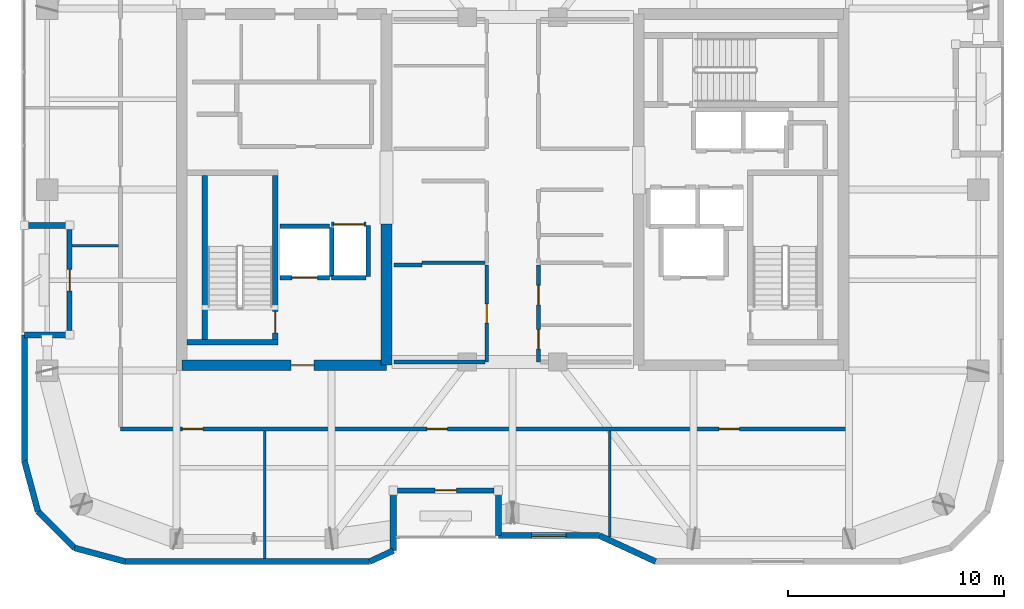
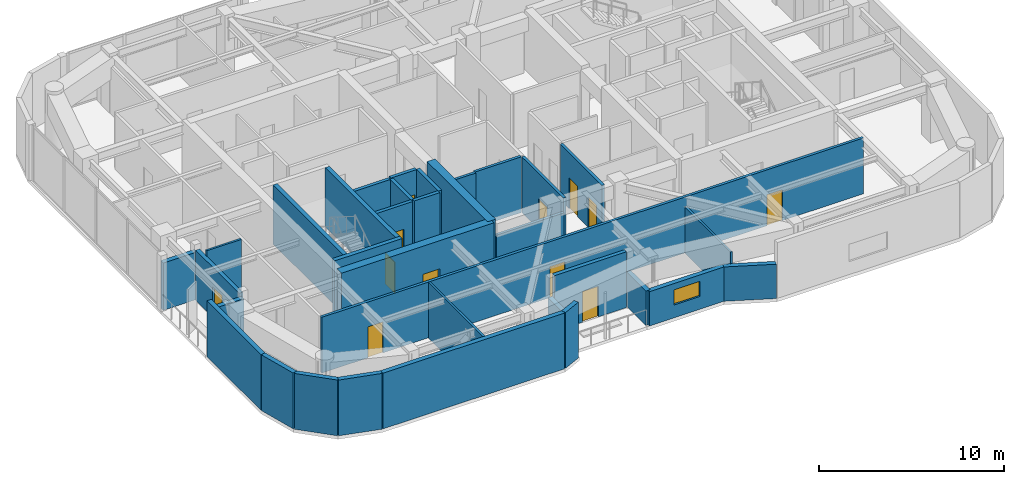
# One storey, part 10 of 15: 34 walls, 12 doors, 1 window, 13 openings.
"""IFC4 building model written with IfcOpenShell, lengths in metres."""

import ifcopenshell
import ifcopenshell.guid

model = None  # the IFC model being written
_history = None  # IfcOwnerHistory: only IFC2X3 demands one
_inside = {}  # id of a spatial element -> (the spatial element, [elements in it])
_under = {}  # id of a project, library or spatial element -> (it, [spatial elements below it])
_declared = {}  # id of a project -> (the project, [libraries it declares])
_typed = {}  # id of a type object -> (the type object, [elements of that type])
_made_of = {}  # id of a material, layer set ... -> (it, [elements and type objects made of it])


def new_model(schema):
    """Start an empty IFC model of exactly this schema.

    Asked for "IFC4X3", IfcOpenShell would pick the latest addendum, in which some entities
    have other attributes; the version numbers below select the first issue.
    IFC2X3 requires an IfcOwnerHistory on every rooted entity: one is made here for all.
    """
    global model, _history
    if schema == "IFC4X3":
        model = ifcopenshell.file(schema_version=(4, 3, 0, 0))
    else:
        model = ifcopenshell.file(schema=schema)
    _inside.clear()
    _under.clear()
    _declared.clear()
    _typed.clear()
    _made_of.clear()
    _history = None
    if model.schema == "IFC2X3":
        org = make("IfcOrganization", Name="unknown")
        user = make(
            "IfcPersonAndOrganization",
            ThePerson=make("IfcPerson", FamilyName="unknown"),
            TheOrganization=org,
        )
        app = make(
            "IfcApplication",
            ApplicationDeveloper=org,
            Version="unknown",
            ApplicationFullName="unknown",
            ApplicationIdentifier="unknown",
        )
        _history = make(
            "IfcOwnerHistory",
            OwningUser=user,
            OwningApplication=app,
            ChangeAction="ADDED",
            CreationDate=0,
        )
    return model


def make(cls, **values):
    """One entity of the class cls with the attributes given. An attribute that is None is left unset."""
    return model.create_entity(
        cls, **{name: value for name, value in values.items() if value is not None}
    )


def rooted(cls, **values):
    """An entity with a GlobalId (a new one), such as an element, a storey or a relation."""
    return make(cls, GlobalId=ifcopenshell.guid.new(), OwnerHistory=_history, **values)


def si_unit(unit_type, name, prefix=None):
    """IfcSIUnit, for example si_unit("LENGTHUNIT", "METRE", prefix="MILLI")."""
    return make("IfcSIUnit", UnitType=unit_type, Prefix=prefix, Name=name)


def assignment(units):
    """IfcUnitAssignment: the units of a project."""
    return None if units is None else make("IfcUnitAssignment", Units=units)


def point(xyz):
    """IfcCartesianPoint."""
    return None if xyz is None else make("IfcCartesianPoint", Coordinates=xyz)


def direction(xyz):
    """IfcDirection."""
    return None if xyz is None else make("IfcDirection", DirectionRatios=xyz)


def frame(location, z_axis=None, x_axis=None):
    """IfcAxis2Placement3D, a coordinate frame: its origin and axes. An axis left out is left unset."""
    return make(
        "IfcAxis2Placement3D",
        Location=point(location),
        Axis=direction(z_axis),
        RefDirection=direction(x_axis),
    )


def frame_2d(location, x_axis=None):
    """IfcAxis2Placement2D, a coordinate frame in the plane: its origin and x axis."""
    return make(
        "IfcAxis2Placement2D", Location=point(location), RefDirection=direction(x_axis)
    )


def origin():
    """The frame at (0, 0, 0) with its axes left unset."""
    return frame((0.0, 0.0, 0.0))


def place(relative_to, where):
    """IfcLocalPlacement: puts the frame where relative to a parent placement (None: the world)."""
    return make(
        "IfcLocalPlacement", PlacementRelTo=relative_to, RelativePlacement=where
    )


def context(
    kind, dimensions, precision=None, world=None, true_north=None, identifier=None
):
    """IfcGeometricRepresentationContext, for example the 3D "Model" context."""
    return make(
        "IfcGeometricRepresentationContext",
        ContextIdentifier=identifier,
        ContextType=kind,
        CoordinateSpaceDimension=dimensions,
        Precision=precision,
        WorldCoordinateSystem=world,
        TrueNorth=true_north,
    )


def subcontext(parent, identifier, kind, view, scale=None):
    """IfcGeometricRepresentationSubContext, for example "Body" below "Model"."""
    return make(
        "IfcGeometricRepresentationSubContext",
        ContextIdentifier=identifier,
        ContextType=kind,
        ParentContext=parent,
        TargetScale=scale,
        TargetView=view,
    )


def project(units=None, contexts=None):
    """IfcProject with its units and contexts."""
    return rooted(
        "IfcProject",
        Name="project",
        RepresentationContexts=contexts,
        UnitsInContext=assignment(units),
    )


def spatial(cls, under=None, at=None, **own):
    """A site, building, storey or space (cls), placed at a placement, below another one or the project."""
    s = rooted(cls, ObjectPlacement=at, **own)
    if under is not None:
        _under.setdefault(under.id(), (under, []))[1].append(s)
    return s


def profile(cls, at=None, kind="AREA", **sizes):
    """A parametric profile (cls). Its sizes go by their IFC names, for example OverallWidth=200.0."""
    return make(cls, ProfileType=kind, Position=at, **sizes)


def rectangle(**sizes):
    """IfcRectangleProfileDef."""
    return profile("IfcRectangleProfileDef", **sizes)


def extrude(swept, where, along, depth):
    """IfcExtrudedAreaSolid: the profile swept, set in the frame where, extruded along a direction by depth."""
    return make(
        "IfcExtrudedAreaSolid",
        SweptArea=swept,
        Position=where,
        ExtrudedDirection=direction(along),
        Depth=depth,
    )


def shape(context_of_items, identifier, shape_type, items):
    """IfcShapeRepresentation: the items that make up one representation, for example the "Body"."""
    return make(
        "IfcShapeRepresentation",
        ContextOfItems=context_of_items,
        RepresentationIdentifier=identifier,
        RepresentationType=shape_type,
        Items=items,
    )


def material(Name=None, Category=None):
    """IfcMaterial."""
    return make("IfcMaterial", Name=Name, Category=Category)


def layer(
    of_material, thickness, ventilated=None, Name=None, Category=None, Priority=None
):
    """IfcMaterialLayer: one layer of a wall or slab, of a material (None: an air gap)."""
    return make(
        "IfcMaterialLayer",
        Material=of_material,
        LayerThickness=thickness,
        IsVentilated=ventilated,
        Name=Name,
        Category=Category,
        Priority=Priority,
    )


def layer_set(layers, Name=None):
    """IfcMaterialLayerSet."""
    return make("IfcMaterialLayerSet", MaterialLayers=layers, LayerSetName=Name)


def made_of(thing, what):
    """Note that an element or type object is made of a material, layer set ...; save() writes the relation."""
    if what is not None:
        _made_of.setdefault(what.id(), (what, []))[1].append(thing)
    return thing


def type_object(cls, material=None, **own):
    """A type object (cls), such as IfcWallType, which elements share."""
    return made_of(rooted(cls, **own), material)


def element(
    cls,
    number,
    at=None,
    inside=None,
    cuts=None,
    type_object=None,
    material=None,
    context=None,
    identifier="Body",
    shape_type=None,
    held_by="IfcProductDefinitionShape",
    body=None,
    shapes=None,
    **own,
):
    """One element of the class cls, such as IfcWall. Its Tag is "e" and its number.

    at: its placement. inside: the storey or other place that contains it. cuts: it is an
    opening in that element (IfcRelVoidsElement). A single representation is given by context,
    identifier, shape_type and body (its items); several are given by shapes. held_by: the class
    of the entity that holds the representations. save() writes the other relations.
    """
    e = rooted(cls, Tag="e%d" % number, ObjectPlacement=at, **own)
    if body is not None:
        shapes = [shape(context, identifier, shape_type, body)]
    if shapes is not None:
        e.Representation = make(held_by, Representations=shapes)
    if inside is not None:
        _inside.setdefault(inside.id(), (inside, []))[1].append(e)
    if cuts is not None:
        rooted(
            "IfcRelVoidsElement", RelatingBuildingElement=cuts, RelatedOpeningElement=e
        )
    if type_object is not None:
        _typed.setdefault(type_object.id(), (type_object, []))[1].append(e)
    return made_of(e, material)


def fill(opening, filler):
    """IfcRelFillsElement: the door or window that sits in an opening."""
    return rooted(
        "IfcRelFillsElement",
        RelatingOpeningElement=opening,
        RelatedBuildingElement=filler,
    )


def aggregate(whole, parts):
    """IfcRelAggregates: a whole, such as a stair, and the parts it consists of."""
    return rooted("IfcRelAggregates", RelatingObject=whole, RelatedObjects=parts)


def save(model, path):
    """Write the relations noted so far, then the file.

    IfcRelAggregates (storeys below a building ...), IfcRelContainedInSpatialStructure (elements
    in a storey), IfcRelDefinesByType, IfcRelAssociatesMaterial and IfcRelDeclares: one each for
    every whole, place, type object, material and project.
    """
    for whole, parts in _under.values():
        aggregate(whole, parts)
    for where, things in _inside.values():
        rooted(
            "IfcRelContainedInSpatialStructure",
            RelatedElements=things,
            RelatingStructure=where,
        )
    for kind, things in _typed.values():
        rooted("IfcRelDefinesByType", RelatedObjects=things, RelatingType=kind)
    for what, things in _made_of.values():
        rooted("IfcRelAssociatesMaterial", RelatedObjects=things, RelatingMaterial=what)
    for by, libraries in _declared.values():
        rooted("IfcRelDeclares", RelatingContext=by, RelatedDefinitions=libraries)
    model.write(path)


model = new_model("IFC4")

# Units and contexts
model_context = context("Model", 3, precision=1e-05, world=origin(), true_north=direction((0.0, 1.0)))
body_context = subcontext(model_context, "Body", "Model", "MODEL_VIEW")
ifc_project = project(units=[si_unit("LENGTHUNIT", "METRE"), si_unit("AREAUNIT", "SQUARE_METRE"), si_unit("VOLUMEUNIT", "CUBIC_METRE"), si_unit("PLANEANGLEUNIT", "RADIAN"), si_unit("MASSUNIT", "GRAM", prefix="KILO")], contexts=[model_context])

# Site, building, storey
site_placement = place(None, origin())
site = spatial("IfcSite", under=ifc_project, at=site_placement, CompositionType="ELEMENT")
building_placement = place(site_placement, origin())
building = spatial("IfcBuilding", under=site, at=building_placement, Name="Kiyonajd Concourse Tower", CompositionType="ELEMENT")
storey_placement = place(building_placement, frame((0.0, 0.0, 262.800048828125)))
storey = spatial("IfcBuildingStorey", under=building, at=storey_placement, Name="L66", CompositionType="ELEMENT", Elevation=262.800048828125)

# Wall
ifc_material_1 = material(Name="Concrete C60/75", Category="concrete")
ifc_layer_1 = layer(ifc_material_1, 0.5)
ifc_layer_set_1 = layer_set([ifc_layer_1], Name="Concrete C60/75")
wall_type_1 = type_object("IfcWallType", Name="WL-CORE-500", PredefinedType="SHEAR", material=ifc_layer_set_1)
wall_1_placement = place(storey_placement, frame((42.14990234375, 27.85009765625, 0.0), z_axis=(0.0, 0.0, 1.0), x_axis=(0.0, 1.0, 0.0)))
element("IfcWall", 1, at=wall_1_placement, inside=storey, type_object=wall_type_1, Name="L66 West Core Inner South Shear Wall", PredefinedType="SHEAR", context=body_context, shape_type="SweptSolid", body=[
    extrude(rectangle(XDim=6.5498046875, YDim=0.5, at=frame_2d((3.27490234375, 0.0))), origin(), (0.0, 0.0, 1.0), 3.89990234375),
])

# Wall, opening, door
wall_2_placement = place(storey_placement, frame((32.64990234375, 27.85009765625, 0.0), z_axis=(0.0, 0.0, 1.0), x_axis=(1.0, 0.0, 0.0)))
wall_2 = element("IfcWall", 2, at=wall_2_placement, inside=storey, type_object=wall_type_1, Name="L66 West Core South Shear Wall", PredefinedType="SHEAR", context=body_context, shape_type="SweptSolid", body=[
    extrude(rectangle(XDim=9.5, YDim=0.5, at=frame_2d((4.75, 0.0))), origin(), (0.0, 0.0, 1.0), 3.89990234375),
])
opening_1_placement = place(wall_2_placement, frame((5.074951171875, 0.0, 0.0)))
opening_1 = element("IfcOpeningElement", 3, at=opening_1_placement, cuts=wall_2, Name="Opening DF5", PredefinedType="OPENING", context=body_context, shape_type="SweptSolid", body=[
    extrude(rectangle(XDim=1.050048828125, YDim=2.0400390625, at=frame_2d((0.52490234375, 1.02001953125))), frame((0.0, 0.260009765625, 0.0), z_axis=(0.0, -1.0, 0.0), x_axis=(1.0, 0.0, 0.0)), (0.0, 0.0, 1.0), 0.52001953125),
])
ifc_material_2 = material(Name="Brushed Stainless Steel Cab Assembly", Category="steel")
door_type_1 = type_object("IfcDoorType", Name="DR-FD45-1050", OperationType="NOTDEFINED", PredefinedType="DOOR", material=ifc_material_2)
door_1_placement = place(opening_1_placement, origin())
door_1 = element("IfcDoor", 4, at=door_1_placement, inside=storey, type_object=door_type_1, Name="L66 Firefighting Lift Lobby W Smoke Door", OperationType="SINGLE_SWING_LEFT", OverallHeight=2.0400390625, OverallWidth=1.050048828125, PredefinedType="DOOR", context=body_context, shape_type="SweptSolid", body=[
    extrude(rectangle(XDim=1.050048828125, YDim=2.0400390625, at=frame_2d((0.52490234375, 1.02001953125))), frame((0.0, 0.02490234375, 0.0), z_axis=(0.0, -1.0, 0.0), x_axis=(1.0, 0.0, 0.0)), (0.0, 0.0, 1.0), 0.050048828125),
])
fill(opening_1, door_1)

# Walls
ifc_material_3 = material(Name="Precast concrete C50/60", Category="concrete")
ifc_layer_2 = layer(ifc_material_3, 0.280029296875)
ifc_layer_set_2 = layer_set([ifc_layer_2], Name="Precast concrete C50/60")
wall_type_2 = type_object("IfcWallType", Name="WL-EXT-280", PredefinedType="SOLIDWALL", material=ifc_layer_set_2)
wall_3_placement = place(storey_placement, frame((25.968505859375, 21.072509765625, 0.0), z_axis=(0.0, 0.0, 1.0), x_axis=(-0.258751159445, 0.965944013639, 0.0)))
element("IfcWall", 5, at=wall_3_placement, inside=storey, type_object=wall_type_2, Name="L66 Exterior Concrete Frame Wall 00", PredefinedType="SOLIDWALL", context=body_context, shape_type="SweptSolid", body=[
    extrude(rectangle(XDim=2.4287109375, YDim=0.280029296875, at=frame_2d((1.21435546875, 0.0))), origin(), (0.0, 0.0, 1.0), 3.679931640625),
])
wall_4_placement = place(storey_placement, frame((25.340087890625, 23.41845703125, 0.0), z_axis=(0.0, 0.0, 1.0), x_axis=(0.0, 1.0, 0.0)))
element("IfcWall", 6, at=wall_4_placement, inside=storey, type_object=wall_type_2, Name="L66 Exterior Concrete Frame Wall 01", PredefinedType="SOLIDWALL", context=body_context, shape_type="SweptSolid", body=[
    extrude(rectangle(XDim=5.841552734375, YDim=0.280029296875, at=frame_2d((2.9208984375, 0.0))), origin(), (0.0, 0.0, 1.0), 3.679931640625),
])
for number, where, z_axis, x_axis, name in (
    (7, (25.340087890625, 29.260009765625, 0.0), (0.0, 0.0, 1.0), (1.0, 0.0, 0.0), "L66 Exterior Concrete Frame Wall 02"),
    (8, (27.43994140625, 34.340087890625, 0.0), (0.0, 0.0, 1.0), (-1.0, 0.0, 0.0), "L66 Exterior Concrete Frame Wall 04"),
):
    element("IfcWall", number, at=place(storey_placement, frame(where, z_axis=z_axis, x_axis=x_axis)), inside=storey, type_object=wall_type_2, Name=name, PredefinedType="SOLIDWALL", context=body_context, shape_type="SweptSolid", body=[
        extrude(rectangle(XDim=2.099853515625, YDim=0.280029296875, at=frame_2d((1.0498046875, 0.0))), origin(), (0.0, 0.0, 1.0), 3.1259765625),
    ])
wall_5_placement = place(storey_placement, frame((54.630615234375, 18.739990234375, 0.0), z_axis=(0.0, 0.0, 1.0), x_axis=(-0.907956889006, 0.419063584324, 0.0)))
element("IfcWall", 9, at=wall_5_placement, inside=storey, type_object=wall_type_2, Name="L66 Exterior Concrete Frame Wall 29", PredefinedType="SOLIDWALL", context=body_context, shape_type="SweptSolid", body=[
    extrude(rectangle(XDim=2.863525390625, YDim=0.280029296875, at=frame_2d((1.431640625, 0.0))), origin(), (0.0, 0.0, 1.0), 2.264892578125),
])

# Wall, opening, window
wall_6_placement = place(storey_placement, frame((52.03076171875, 19.93994140625, 0.0), z_axis=(0.0, 0.0, 1.0), x_axis=(-1.0, 0.0, 0.0)))
wall_6 = element("IfcWall", 10, at=wall_6_placement, inside=storey, type_object=wall_type_2, Name="L66 Exterior Concrete Frame Wall 30", PredefinedType="SOLIDWALL", context=body_context, shape_type="SweptSolid", body=[
    extrude(rectangle(XDim=4.690673828125, YDim=0.280029296875, at=frame_2d((2.34521484375, 0.0))), origin(), (0.0, 0.0, 1.0), 2.264892578125),
])
opening_2_placement = place(wall_6_placement, frame((1.544921875, 0.0, 0.85009765625)))
opening_2 = element("IfcOpeningElement", 11, at=opening_2_placement, cuts=wall_6, Name="Opening WN6", PredefinedType="OPENING", context=body_context, shape_type="SweptSolid", body=[
    extrude(rectangle(XDim=1.60009765625, YDim=1.0, at=frame_2d((0.800048828125, 0.5))), frame((0.0, 0.14990234375, 0.0), z_axis=(0.0, -1.0, 0.0), x_axis=(1.0, 0.0, 0.0)), (0.0, 0.0, 1.0), 0.300048828125),
])
ifc_material_4 = material(Name="Double Low-E Insulated Glass", Category="glass")
window_type = type_object("IfcWindowType", Name="WN-VIS-1600x1000", PartitioningType="SINGLE_PANEL", PredefinedType="WINDOW", material=ifc_material_4)
window_placement = place(opening_2_placement, origin())
window = element("IfcWindow", 12, at=window_placement, inside=storey, type_object=window_type, Name="L66 Modular Facade Vision Window 30", OverallHeight=1.0, OverallWidth=1.60009765625, PartitioningType="SINGLE_PANEL", PredefinedType="WINDOW", context=body_context, shape_type="SweptSolid", body=[
    extrude(rectangle(XDim=1.60009765625, YDim=1.0, at=frame_2d((0.800048828125, 0.5))), frame((0.0, 0.030029296875, 0.0), z_axis=(0.0, -1.0, 0.0), x_axis=(1.0, 0.0, 0.0)), (0.0, 0.0, 1.0), 0.06005859375),
])
fill(opening_2, window)

# Walls
wall_7_placement = place(storey_placement, frame((47.340087890625, 19.93994140625, 0.0), z_axis=(0.0, 0.0, 1.0), x_axis=(0.0, 1.0, 0.0)))
element("IfcWall", 13, at=wall_7_placement, inside=storey, type_object=wall_type_2, Name="L66 Exterior Concrete Frame Wall 31", PredefinedType="SOLIDWALL", context=body_context, shape_type="SweptSolid", body=[
    extrude(rectangle(XDim=2.10009765625, YDim=0.280029296875, at=frame_2d((1.050048828125, 0.0))), origin(), (0.0, 0.0, 1.0), 2.264892578125),
])
wall_8_placement = place(storey_placement, frame((42.4599609375, 22.0400390625, 0.0), z_axis=(0.0, 0.0, 1.0), x_axis=(0.0, -1.0, 0.0)))
element("IfcWall", 14, at=wall_8_placement, inside=storey, type_object=wall_type_2, Name="L66 Exterior Concrete Frame Wall 33", PredefinedType="SOLIDWALL", context=body_context, shape_type="SweptSolid", body=[
    extrude(rectangle(XDim=2.79638671875, YDim=0.280029296875, at=frame_2d((1.398193359375, 0.0))), origin(), (0.0, 0.0, 1.0), 2.264892578125),
])
wall_9_placement = place(storey_placement, frame((42.4599609375, 19.24365234375, 0.0), z_axis=(0.0, 0.0, 1.0), x_axis=(-0.907893953211, -0.419199916176, 0.0)))
element("IfcWall", 15, at=wall_9_placement, inside=storey, type_object=wall_type_2, Name="L66 Exterior Concrete Frame Wall 34", PredefinedType="SOLIDWALL", context=body_context, shape_type="SweptSolid", body=[
    extrude(rectangle(XDim=1.201416015625, YDim=0.280029296875, at=frame_2d((0.6005859375, 0.0))), origin(), (0.0, 0.0, 1.0), 3.679931640625),
])
wall_10_placement = place(storey_placement, frame((41.369140625, 18.739990234375, 0.0), z_axis=(0.0, 0.0, 1.0), x_axis=(-1.0, 0.0, 0.0)))
element("IfcWall", 16, at=wall_10_placement, inside=storey, type_object=wall_type_2, Name="L66 Exterior Concrete Frame Wall 35", PredefinedType="SOLIDWALL", context=body_context, shape_type="SweptSolid", body=[
    extrude(rectangle(XDim=11.350830078125, YDim=0.280029296875, at=frame_2d((5.67529296875, 0.0))), origin(), (0.0, 0.0, 1.0), 3.679931640625),
])
wall_11_placement = place(storey_placement, frame((30.018310546875, 18.739990234375, 0.0), z_axis=(0.0, 0.0, 1.0), x_axis=(-0.965937282298, 0.25877628691, 0.0)))
element("IfcWall", 17, at=wall_11_placement, inside=storey, type_object=wall_type_2, Name="L66 Exterior Concrete Frame Wall 36", PredefinedType="SOLIDWALL", context=body_context, shape_type="SweptSolid", body=[
    extrude(rectangle(XDim=2.428466796875, YDim=0.280029296875, at=frame_2d((1.21435546875, 0.0))), origin(), (0.0, 0.0, 1.0), 3.679931640625),
])
wall_12_placement = place(storey_placement, frame((27.672607421875, 19.368408203125, 0.0), z_axis=(0.0, 0.0, 1.0), x_axis=(-0.707106781187, 0.707106781187, 0.0)))
element("IfcWall", 18, at=wall_12_placement, inside=storey, type_object=wall_type_2, Name="L66 Exterior Concrete Frame Wall 37", PredefinedType="SOLIDWALL", context=body_context, shape_type="SweptSolid", body=[
    extrude(rectangle(XDim=2.409912109375, YDim=0.280029296875, at=frame_2d((1.205078125, 0.0))), origin(), (0.0, 0.0, 1.0), 3.679931640625),
])

# Wall, opening, door
ifc_layer_3 = layer(ifc_material_3, 0.239990234375)
ifc_layer_set_3 = layer_set([ifc_layer_3], Name="Precast concrete C50/60")
wall_type_3 = type_object("IfcWallType", Name="WL-LOG-240", PredefinedType="SOLIDWALL", material=ifc_layer_set_3)
wall_13_placement = place(storey_placement, frame((27.43994140625, 29.455078125, 0.0), z_axis=(0.0, 0.0, 1.0), x_axis=(0.0, 1.0, 0.0)))
wall_13 = element("IfcWall", 19, at=wall_13_placement, inside=storey, type_object=wall_type_3, Name="L66 Recessed Loggia Thermal Wall LOG-W", PredefinedType="SOLIDWALL", context=body_context, shape_type="SweptSolid", body=[
    extrude(rectangle(XDim=4.68994140625, YDim=0.239990234375, at=frame_2d((2.344970703125, 0.0))), origin(), (0.0, 0.0, 1.0), 3.31103515625),
])
opening_3_placement = place(wall_13_placement, frame((1.844970703125, 0.0, 0.0)))
opening_3 = element("IfcOpeningElement", 20, at=opening_3_placement, cuts=wall_13, Name="Opening DL1", PredefinedType="OPENING", context=body_context, shape_type="SweptSolid", body=[
    extrude(rectangle(XDim=1.0, YDim=2.02001953125, at=frame_2d((0.5, 1.010009765625))), frame((0.0, 0.1298828125, 0.0), z_axis=(0.0, -1.0, 0.0), x_axis=(1.0, 0.0, 0.0)), (0.0, 0.0, 1.0), 0.260009765625),
])
ifc_material_5 = material(Name="Thermally Broken Anodised Aluminium", Category="aluminium")
door_type_2 = type_object("IfcDoorType", Name="DR-LOG-1000", OperationType="NOTDEFINED", PredefinedType="DOOR", material=ifc_material_5)
door_2_placement = place(opening_3_placement, origin())
door_2 = element("IfcDoor", 21, at=door_2_placement, inside=storey, type_object=door_type_2, Name="L66 Engawa Loggia Access Door LOG-W", OperationType="SINGLE_SWING_LEFT", OverallHeight=2.02001953125, OverallWidth=1.0, PredefinedType="DOOR", context=body_context, shape_type="SweptSolid", body=[
    extrude(rectangle(XDim=1.0, YDim=2.02001953125, at=frame_2d((0.5, 1.010009765625))), frame((0.0, 0.02490234375, 0.0), z_axis=(0.0, -1.0, 0.0), x_axis=(1.0, 0.0, 0.0)), (0.0, 0.0, 1.0), 0.050048828125),
])
fill(opening_3, door_2)

wall_14_placement = place(storey_placement, frame((47.14501953125, 22.0400390625, 0.0), z_axis=(0.0, 0.0, 1.0), x_axis=(-1.0, 0.0, 0.0)))
wall_14 = element("IfcWall", 22, at=wall_14_placement, inside=storey, type_object=wall_type_3, Name="L66 Recessed Loggia Thermal Wall LOG-S", PredefinedType="SOLIDWALL", context=body_context, shape_type="SweptSolid", body=[
    extrude(rectangle(XDim=4.489990234375, YDim=0.239990234375, at=frame_2d((2.2451171875, 0.0))), origin(), (0.0, 0.0, 1.0), 3.679931640625),
])
opening_4_placement = place(wall_14_placement, frame((1.7451171875, 0.0, 0.0)))
opening_4 = element("IfcOpeningElement", 23, at=opening_4_placement, cuts=wall_14, Name="Opening DL1", PredefinedType="OPENING", context=body_context, shape_type="SweptSolid", body=[
    extrude(rectangle(XDim=1.0, YDim=2.02001953125, at=frame_2d((0.5, 1.010009765625))), frame((0.0, 0.1298828125, 0.0), z_axis=(0.0, -1.0, 0.0), x_axis=(1.0, 0.0, 0.0)), (0.0, 0.0, 1.0), 0.260009765625),
])
door_3_placement = place(opening_4_placement, origin())
door_3 = element("IfcDoor", 24, at=door_3_placement, inside=storey, type_object=door_type_2, Name="L66 Engawa Loggia Access Door LOG-S", OperationType="SINGLE_SWING_RIGHT", OverallHeight=2.02001953125, OverallWidth=1.0, PredefinedType="DOOR", context=body_context, shape_type="SweptSolid", body=[
    extrude(rectangle(XDim=1.0, YDim=2.02001953125, at=frame_2d((0.5, 1.010009765625))), frame((0.0, 0.02490234375, 0.0), z_axis=(0.0, -1.0, 0.0), x_axis=(1.0, 0.0, 0.0)), (0.0, 0.0, 1.0), 0.050048828125),
])
fill(opening_4, door_3)

# Walls
ifc_material_6 = material(Name="Gypsum Board on Cold-Formed Steel Stud", Category="steel")
ifc_layer_4 = layer(ifc_material_6, 0.125)
ifc_layer_set_4 = layer_set([ifc_layer_4], Name="Gypsum Board on Cold-Formed Steel Stud")
wall_type_4 = type_object("IfcWallType", Name="WL-PART-125", PredefinedType="PARTITIONING", material=ifc_layer_set_4)
wall_15_placement = place(storey_placement, frame((36.5, 18.875, 0.0), z_axis=(0.0, 0.0, 1.0), x_axis=(0.0, 1.0, 0.0)))
element("IfcWall", 25, at=wall_15_placement, inside=storey, type_object=wall_type_4, Name="L66 Interior Partition Wall", PredefinedType="PARTITIONING", context=body_context, shape_type="SweptSolid", body=[
    extrude(rectangle(XDim=5.927978515625, YDim=0.125, at=frame_2d((2.9638671875, 0.0))), origin(), (0.0, 0.0, 1.0), 3.679931640625),
])
wall_16_placement = place(storey_placement, frame((52.5, 19.875, 0.0), z_axis=(0.0, 0.0, 1.0), x_axis=(0.0, 1.0, 0.0)))
element("IfcWall", 26, at=wall_16_placement, inside=storey, type_object=wall_type_4, Name="L66 Interior Partition Wall", PredefinedType="PARTITIONING", context=body_context, shape_type="SweptSolid", body=[
    extrude(rectangle(XDim=4.927978515625, YDim=0.125, at=frame_2d((2.4638671875, 0.0))), origin(), (0.0, 0.0, 1.0), 3.04296875),
])
wall_17_placement = place(storey_placement, frame((27.554931640625, 33.39990234375, 0.0), z_axis=(0.0, 0.0, 1.0), x_axis=(1.0, 0.0, 0.0)))
element("IfcWall", 27, at=wall_17_placement, inside=storey, type_object=wall_type_4, Name="L66 Interior Partition Wall", PredefinedType="PARTITIONING", context=body_context, shape_type="SweptSolid", body=[
    extrude(rectangle(XDim=2.157958984375, YDim=0.125, at=frame_2d((1.0791015625, 0.0))), origin(), (0.0, 0.0, 1.0), 3.679931640625),
])

# Wall, opening, door
ifc_layer_5 = layer(ifc_material_6, 0.2099609375)
ifc_layer_set_5 = layer_set([ifc_layer_5], Name="Gypsum Board on Cold-Formed Steel Stud")
wall_type_5 = type_object("IfcWallType", Name="WL-SHAFT-210", PredefinedType="PARTITIONING", material=ifc_layer_set_5)
wall_18_placement = place(storey_placement, frame((37.199951171875, 31.89990234375, 0.0), z_axis=(0.0, 0.0, 1.0), x_axis=(1.0, 0.0, 0.0)))
wall_18 = element("IfcWall", 28, at=wall_18_placement, inside=storey, type_object=wall_type_5, Name="L66 Shaft Enclosure Wall", PredefinedType="PARTITIONING", context=body_context, shape_type="SweptSolid", body=[
    extrude(rectangle(XDim=2.300048828125, YDim=0.2099609375, at=frame_2d((1.14990234375, 0.0))), origin(), (0.0, 0.0, 1.0), 3.679931640625),
])
opening_5_placement = place(wall_18_placement, frame((0.550048828125, 0.0, 0.0)))
opening_5 = element("IfcOpeningElement", 29, at=opening_5_placement, cuts=wall_18, Name="Opening LD2", PredefinedType="OPENING", context=body_context, shape_type="SweptSolid", body=[
    extrude(rectangle(XDim=1.199951171875, YDim=2.0400390625, at=frame_2d((0.60009765625, 1.02001953125))), frame((0.0, 0.114990234375, 0.0), z_axis=(0.0, -1.0, 0.0), x_axis=(1.0, 0.0, 0.0)), (0.0, 0.0, 1.0), 0.22998046875),
])
door_type_3 = type_object("IfcDoorType", Name="DR-LD-1200", OperationType="DOUBLE_DOOR_SLIDING", PredefinedType="DOOR", material=ifc_material_2)
door_4_placement = place(opening_5_placement, origin())
door_4 = element("IfcDoor", 30, at=door_4_placement, inside=storey, type_object=door_type_3, Name="L66 Lift FFL1 Sliding Landing Door", OperationType="DOUBLE_DOOR_SLIDING", OverallHeight=2.0400390625, OverallWidth=1.199951171875, PredefinedType="DOOR", context=body_context, shape_type="SweptSolid", body=[
    extrude(rectangle(XDim=1.199951171875, YDim=2.0400390625, at=frame_2d((0.60009765625, 1.02001953125))), frame((0.0, 0.02490234375, 0.0), z_axis=(0.0, -1.0, 0.0), x_axis=(1.0, 0.0, 0.0)), (0.0, 0.0, 1.0), 0.050048828125),
])
fill(opening_5, door_4)

# Walls
wall_19_placement = place(storey_placement, frame((37.199951171875, 34.300048828125, 0.0), z_axis=(0.0, 0.0, 1.0), x_axis=(1.0, 0.0, 0.0)))
element("IfcWall", 31, at=wall_19_placement, inside=storey, type_object=wall_type_5, Name="L66 Shaft Enclosure Wall", PredefinedType="PARTITIONING", context=body_context, shape_type="SweptSolid", body=[
    extrude(rectangle(XDim=2.300048828125, YDim=0.2099609375, at=frame_2d((1.14990234375, 0.0))), origin(), (0.0, 0.0, 1.0), 3.679931640625),
])
wall_20_placement = place(storey_placement, frame((39.60009765625, 31.9599609375, 0.0), z_axis=(0.0, 0.0, 1.0), x_axis=(0.0, 1.0, 0.0)))
element("IfcWall", 32, at=wall_20_placement, inside=storey, type_object=wall_type_5, Name="L66 Shaft Enclosure Wall", PredefinedType="PARTITIONING", context=body_context, shape_type="SweptSolid", body=[
    extrude(rectangle(XDim=2.280029296875, YDim=0.2099609375, at=frame_2d((1.14013671875, 0.0))), origin(), (0.0, 0.0, 1.0), 3.679931640625),
])

# Wall, opening, door
wall_21_placement = place(storey_placement, frame((39.60009765625, 34.39990234375, 0.0), z_axis=(0.0, 0.0, 1.0), x_axis=(1.0, 0.0, 0.0)))
wall_21 = element("IfcWall", 33, at=wall_21_placement, inside=storey, type_object=wall_type_5, Name="L66 Shaft Enclosure Wall", PredefinedType="PARTITIONING", context=body_context, shape_type="SweptSolid", body=[
    extrude(rectangle(XDim=1.599853515625, YDim=0.2099609375, at=frame_2d((0.7998046875, 0.0))), origin(), (0.0, 0.0, 1.0), 3.679931640625),
])
opening_6_placement = place(wall_21_placement, frame((0.10009765625, 0.0, 0.0)))
opening_6 = element("IfcOpeningElement", 34, at=opening_6_placement, cuts=wall_21, Name="Opening LD3", PredefinedType="OPENING", context=body_context, shape_type="SweptSolid", body=[
    extrude(rectangle(XDim=1.39990234375, YDim=2.06005859375, at=frame_2d((0.699951171875, 1.030029296875))), frame((0.0, 0.114990234375, 0.0), z_axis=(0.0, -1.0, 0.0), x_axis=(1.0, 0.0, 0.0)), (0.0, 0.0, 1.0), 0.22998046875),
])
door_type_4 = type_object("IfcDoorType", Name="DR-LD-1400", OperationType="DOUBLE_DOOR_SLIDING", PredefinedType="DOOR", material=ifc_material_2)
door_5_placement = place(opening_6_placement, origin())
door_5 = element("IfcDoor", 35, at=door_5_placement, inside=storey, type_object=door_type_4, Name="L66 Lift SVL1 Sliding Landing Door", OperationType="DOUBLE_DOOR_SLIDING", OverallHeight=2.06005859375, OverallWidth=1.39990234375, PredefinedType="DOOR", context=body_context, shape_type="SweptSolid", body=[
    extrude(rectangle(XDim=1.39990234375, YDim=2.06005859375, at=frame_2d((0.699951171875, 1.030029296875))), frame((0.0, 0.02490234375, 0.0), z_axis=(0.0, -1.0, 0.0), x_axis=(1.0, 0.0, 0.0)), (0.0, 0.0, 1.0), 0.050048828125),
])
fill(opening_6, door_5)

# Walls
wall_22_placement = place(storey_placement, frame((39.60009765625, 31.89990234375, 0.0), z_axis=(0.0, 0.0, 1.0), x_axis=(1.0, 0.0, 0.0)))
element("IfcWall", 36, at=wall_22_placement, inside=storey, type_object=wall_type_5, Name="L66 Shaft Enclosure Wall", PredefinedType="PARTITIONING", context=body_context, shape_type="SweptSolid", body=[
    extrude(rectangle(XDim=1.599853515625, YDim=0.2099609375, at=frame_2d((0.7998046875, 0.0))), origin(), (0.0, 0.0, 1.0), 3.679931640625),
])
wall_23_placement = place(storey_placement, frame((41.300048828125, 31.9599609375, 0.0), z_axis=(0.0, 0.0, 1.0), x_axis=(0.0, 1.0, 0.0)))
element("IfcWall", 37, at=wall_23_placement, inside=storey, type_object=wall_type_5, Name="L66 Shaft Enclosure Wall", PredefinedType="PARTITIONING", context=body_context, shape_type="SweptSolid", body=[
    extrude(rectangle(XDim=2.380126953125, YDim=0.2099609375, at=frame_2d((1.18994140625, 0.0))), origin(), (0.0, 0.0, 1.0), 3.679931640625),
])
ifc_layer_6 = layer(ifc_material_6, 0.169921875)
ifc_layer_set_6 = layer_set([ifc_layer_6], Name="Gypsum Board on Cold-Formed Steel Stud")
wall_type_6 = type_object("IfcWallType", Name="WL-SMK-170", PredefinedType="PARTITIONING", material=ifc_layer_set_6)
wall_24_placement = place(storey_placement, frame((43.800048828125, 32.60009765625, 0.0), z_axis=(0.0, 0.0, 1.0), x_axis=(1.0, 0.0, 0.0)))
element("IfcWall", 38, at=wall_24_placement, inside=storey, type_object=wall_type_6, Name="L66 Interior Partition Wall", PredefinedType="PARTITIONING", context=body_context, shape_type="SweptSolid", body=[
    extrude(rectangle(XDim=2.912841796875, YDim=0.169921875, at=frame_2d((1.45654296875, 0.0))), origin(), (0.0, 0.0, 1.0), 3.679931640625),
])

# Wall, opening, door
wall_25_placement = place(storey_placement, frame((46.800048828125, 28.0, 0.0), z_axis=(0.0, 0.0, 1.0), x_axis=(0.0, 1.0, 0.0)))
wall_25 = element("IfcWall", 39, at=wall_25_placement, inside=storey, type_object=wall_type_6, Name="L66 Interior Partition Wall", PredefinedType="PARTITIONING", context=body_context, shape_type="SweptSolid", body=[
    extrude(rectangle(XDim=4.5, YDim=0.169921875, at=frame_2d((2.25, 0.0))), origin(), (0.0, 0.0, 1.0), 3.679931640625),
])
opening_7_placement = place(wall_25_placement, frame((1.800048828125, 0.0, 0.0)))
opening_7 = element("IfcOpeningElement", 40, at=opening_7_placement, cuts=wall_25, Name="Opening DI2", PredefinedType="OPENING", context=body_context, shape_type="SweptSolid", body=[
    extrude(rectangle(XDim=0.89990234375, YDim=2.02001953125, at=frame_2d((0.449951171875, 1.010009765625))), frame((0.0, 0.094970703125, 0.0), z_axis=(0.0, -1.0, 0.0), x_axis=(1.0, 0.0, 0.0)), (0.0, 0.0, 1.0), 0.18994140625),
])
ifc_material_7 = material(Name="Natural Oak Acoustic Timber Veneer", Category="wood")
door_type_5 = type_object("IfcDoorType", Name="DR-INT-900", OperationType="NOTDEFINED", PredefinedType="DOOR", material=ifc_material_7)
door_6_placement = place(opening_7_placement, origin())
door_6 = element("IfcDoor", 41, at=door_6_placement, inside=storey, type_object=door_type_5, Name="L66 Interior Door", OperationType="SINGLE_SWING_LEFT", OverallHeight=2.02001953125, OverallWidth=0.89990234375, PredefinedType="DOOR", context=body_context, shape_type="SweptSolid", body=[
    extrude(rectangle(XDim=0.89990234375, YDim=2.02001953125, at=frame_2d((0.449951171875, 1.010009765625))), frame((0.0, 0.02490234375, 0.0), z_axis=(0.0, -1.0, 0.0), x_axis=(1.0, 0.0, 0.0)), (0.0, 0.0, 1.0), 0.050048828125),
])
fill(opening_7, door_6)

# Walls
wall_26_placement = place(storey_placement, frame((42.5, 28.0, 0.0), z_axis=(0.0, 0.0, 1.0), x_axis=(1.0, 0.0, 0.0)))
element("IfcWall", 42, at=wall_26_placement, inside=storey, type_object=wall_type_6, Name="L66 Interior Partition Wall", PredefinedType="PARTITIONING", context=body_context, shape_type="SweptSolid", body=[
    extrude(rectangle(XDim=4.212890625, YDim=0.169921875, at=frame_2d((2.1064453125, 0.0))), origin(), (0.0, 0.0, 1.0), 2.764892578125),
])
wall_27_placement = place(storey_placement, frame((42.5, 32.5, 0.0), z_axis=(0.0, 0.0, 1.0), x_axis=(1.0, 0.0, 0.0)))
element("IfcWall", 43, at=wall_27_placement, inside=storey, type_object=wall_type_6, Name="L66 Interior Partition Wall", PredefinedType="PARTITIONING", context=body_context, shape_type="SweptSolid", body=[
    extrude(rectangle(XDim=1.300048828125, YDim=0.169921875, at=frame_2d((0.64990234375, 0.0))), origin(), (0.0, 0.0, 1.0), 3.679931640625),
])

# Wall, openings, doors
wall_28_placement = place(storey_placement, frame((49.199951171875, 28.0, 0.0), z_axis=(0.0, 0.0, 1.0), x_axis=(0.0, 1.0, 0.0)))
wall_28 = element("IfcWall", 44, at=wall_28_placement, inside=storey, type_object=wall_type_6, Name="L66 Interior Partition Wall", PredefinedType="PARTITIONING", context=body_context, shape_type="SweptSolid", body=[
    extrude(rectangle(XDim=4.5, YDim=0.169921875, at=frame_2d((2.25, 0.0))), origin(), (0.0, 0.0, 1.0), 3.679931640625),
])
opening_8_placement = place(wall_28_placement, frame((0.60498046875, 0.0, 0.0)))
opening_8 = element("IfcOpeningElement", 45, at=opening_8_placement, cuts=wall_28, Name="Opening DI2", PredefinedType="OPENING", context=body_context, shape_type="SweptSolid", body=[
    extrude(rectangle(XDim=0.89990234375, YDim=2.02001953125, at=frame_2d((0.449951171875, 1.010009765625))), frame((0.0, 0.094970703125, 0.0), z_axis=(0.0, -1.0, 0.0), x_axis=(1.0, 0.0, 0.0)), (0.0, 0.0, 1.0), 0.18994140625),
])
opening_9_placement = place(wall_28_placement, frame((2.655029296875, 0.0, 0.0)))
opening_9 = element("IfcOpeningElement", 46, at=opening_9_placement, cuts=wall_28, Name="Opening DI2", PredefinedType="OPENING", context=body_context, shape_type="SweptSolid", body=[
    extrude(rectangle(XDim=0.89990234375, YDim=2.02001953125, at=frame_2d((0.449951171875, 1.010009765625))), frame((0.0, 0.094970703125, 0.0), z_axis=(0.0, -1.0, 0.0), x_axis=(1.0, 0.0, 0.0)), (0.0, 0.0, 1.0), 0.18994140625),
])
door_7_placement = place(opening_8_placement, origin())
door_7 = element("IfcDoor", 47, at=door_7_placement, inside=storey, type_object=door_type_5, Name="L66 Interior Door", OperationType="SINGLE_SWING_RIGHT", OverallHeight=2.02001953125, OverallWidth=0.89990234375, PredefinedType="DOOR", context=body_context, shape_type="SweptSolid", body=[
    extrude(rectangle(XDim=0.89990234375, YDim=2.02001953125, at=frame_2d((0.449951171875, 1.010009765625))), frame((0.0, 0.02490234375, 0.0), z_axis=(0.0, -1.0, 0.0), x_axis=(1.0, 0.0, 0.0)), (0.0, 0.0, 1.0), 0.050048828125),
])
fill(opening_8, door_7)
door_8_placement = place(opening_9_placement, origin())
door_8 = element("IfcDoor", 48, at=door_8_placement, inside=storey, type_object=door_type_5, Name="L66 Interior Door", OperationType="SINGLE_SWING_LEFT", OverallHeight=2.02001953125, OverallWidth=0.89990234375, PredefinedType="DOOR", context=body_context, shape_type="SweptSolid", body=[
    extrude(rectangle(XDim=0.89990234375, YDim=2.02001953125, at=frame_2d((0.449951171875, 1.010009765625))), frame((0.0, 0.02490234375, 0.0), z_axis=(0.0, -1.0, 0.0), x_axis=(1.0, 0.0, 0.0)), (0.0, 0.0, 1.0), 0.050048828125),
])
fill(opening_9, door_8)

wall_29_placement = place(storey_placement, frame((29.800048828125, 24.889892578125, 0.0), z_axis=(0.0, 0.0, 1.0), x_axis=(1.0, 0.0, 0.0)))
wall_29 = element("IfcWall", 49, at=wall_29_placement, inside=storey, type_object=wall_type_6, Name="L66 Interior Partition Wall", PredefinedType="PARTITIONING", context=body_context, shape_type="SweptSolid", body=[
    extrude(rectangle(XDim=33.800048828125, YDim=0.169921875, at=frame_2d((16.89990234375, 0.0))), origin(), (0.0, 0.0, 1.0), 3.679931640625),
])
opening_10_placement = place(wall_29_placement, frame((2.875, 0.0, 0.0)))
opening_10 = element("IfcOpeningElement", 50, at=opening_10_placement, cuts=wall_29, Name="Opening DI1", PredefinedType="OPENING", context=body_context, shape_type="SweptSolid", body=[
    extrude(rectangle(XDim=0.949951171875, YDim=2.0400390625, at=frame_2d((0.47509765625, 1.02001953125))), frame((0.0, 0.094970703125, 0.0), z_axis=(0.0, -1.0, 0.0), x_axis=(1.0, 0.0, 0.0)), (0.0, 0.0, 1.0), 0.18994140625),
])
opening_11_placement = place(wall_29_placement, frame((14.22509765625, 0.0, 0.0)))
opening_11 = element("IfcOpeningElement", 51, at=opening_11_placement, cuts=wall_29, Name="Opening DI1", PredefinedType="OPENING", context=body_context, shape_type="SweptSolid", body=[
    extrude(rectangle(XDim=0.949951171875, YDim=2.0400390625, at=frame_2d((0.47509765625, 1.02001953125))), frame((0.0, 0.094970703125, 0.0), z_axis=(0.0, -1.0, 0.0), x_axis=(1.0, 0.0, 0.0)), (0.0, 0.0, 1.0), 0.18994140625),
])
opening_12_placement = place(wall_29_placement, frame((27.77490234375, 0.0, 0.0)))
opening_12 = element("IfcOpeningElement", 52, at=opening_12_placement, cuts=wall_29, Name="Opening DI1", PredefinedType="OPENING", context=body_context, shape_type="SweptSolid", body=[
    extrude(rectangle(XDim=0.949951171875, YDim=2.0400390625, at=frame_2d((0.47509765625, 1.02001953125))), frame((0.0, 0.094970703125, 0.0), z_axis=(0.0, -1.0, 0.0), x_axis=(1.0, 0.0, 0.0)), (0.0, 0.0, 1.0), 0.18994140625),
])
door_type_6 = type_object("IfcDoorType", Name="DR-INT-950", OperationType="NOTDEFINED", PredefinedType="DOOR", material=ifc_material_7)
door_9_placement = place(opening_10_placement, origin())
door_9 = element("IfcDoor", 53, at=door_9_placement, inside=storey, type_object=door_type_6, Name="L66 Interior Door", OperationType="SINGLE_SWING_LEFT", OverallHeight=2.0400390625, OverallWidth=0.949951171875, PredefinedType="DOOR", context=body_context, shape_type="SweptSolid", body=[
    extrude(rectangle(XDim=0.949951171875, YDim=2.0400390625, at=frame_2d((0.47509765625, 1.02001953125))), frame((0.0, 0.02490234375, 0.0), z_axis=(0.0, -1.0, 0.0), x_axis=(1.0, 0.0, 0.0)), (0.0, 0.0, 1.0), 0.050048828125),
])
fill(opening_10, door_9)
door_10_placement = place(opening_11_placement, origin())
door_10 = element("IfcDoor", 54, at=door_10_placement, inside=storey, type_object=door_type_6, Name="L66 Interior Door", OperationType="SINGLE_SWING_RIGHT", OverallHeight=2.0400390625, OverallWidth=0.949951171875, PredefinedType="DOOR", context=body_context, shape_type="SweptSolid", body=[
    extrude(rectangle(XDim=0.949951171875, YDim=2.0400390625, at=frame_2d((0.47509765625, 1.02001953125))), frame((0.0, 0.02490234375, 0.0), z_axis=(0.0, -1.0, 0.0), x_axis=(1.0, 0.0, 0.0)), (0.0, 0.0, 1.0), 0.050048828125),
])
fill(opening_11, door_10)
door_11_placement = place(opening_12_placement, origin())
door_11 = element("IfcDoor", 55, at=door_11_placement, inside=storey, type_object=door_type_6, Name="L66 Interior Door", OperationType="SINGLE_SWING_LEFT", OverallHeight=2.0400390625, OverallWidth=0.949951171875, PredefinedType="DOOR", context=body_context, shape_type="SweptSolid", body=[
    extrude(rectangle(XDim=0.949951171875, YDim=2.0400390625, at=frame_2d((0.47509765625, 1.02001953125))), frame((0.0, 0.02490234375, 0.0), z_axis=(0.0, -1.0, 0.0), x_axis=(1.0, 0.0, 0.0)), (0.0, 0.0, 1.0), 0.050048828125),
])
fill(opening_12, door_11)

# Walls
ifc_material_8 = material(Name="Concrete C50/60", Category="concrete")
ifc_layer_7 = layer(ifc_material_8, 0.260009765625)
ifc_layer_set_7 = layer_set([ifc_layer_7], Name="Concrete C50/60")
wall_type_7 = type_object("IfcWallType", Name="WL-STAIR-260", PredefinedType="SHEAR", material=ifc_layer_set_7)
wall_30_placement = place(storey_placement, frame((32.89990234375, 28.919921875, 0.0), z_axis=(0.0, 0.0, 1.0), x_axis=(1.0, 0.0, 0.0)))
element("IfcWall", 56, at=wall_30_placement, inside=storey, type_object=wall_type_7, Name="L66 Stair ST1 Structural South Wall", PredefinedType="SHEAR", context=body_context, shape_type="SweptSolid", body=[
    extrude(rectangle(XDim=4.210205078125, YDim=0.260009765625, at=frame_2d((2.10498046875, 0.0))), origin(), (0.0, 0.0, 1.0), 3.89990234375),
])
wall_31_placement = place(storey_placement, frame((33.719970703125, 29.050048828125, 0.0), z_axis=(0.0, 0.0, 1.0), x_axis=(0.0, 1.0, 0.0)))
element("IfcWall", 57, at=wall_31_placement, inside=storey, type_object=wall_type_7, Name="L66 Stair ST1 Structural West Wall", PredefinedType="SHEAR", context=body_context, shape_type="SweptSolid", body=[
    extrude(rectangle(XDim=7.599853515625, YDim=0.260009765625, at=frame_2d((3.7998046875, 0.0))), origin(), (0.0, 0.0, 1.0), 3.89990234375),
])

# Wall, opening, door
wall_32_placement = place(storey_placement, frame((36.97998046875, 29.050048828125, 0.0), z_axis=(0.0, 0.0, 1.0), x_axis=(0.0, 1.0, 0.0)))
wall_32 = element("IfcWall", 58, at=wall_32_placement, inside=storey, type_object=wall_type_7, Name="L66 Stair ST1 Structural East Wall", PredefinedType="SHEAR", context=body_context, shape_type="SweptSolid", body=[
    extrude(rectangle(XDim=7.599853515625, YDim=0.260009765625, at=frame_2d((3.7998046875, 0.0))), origin(), (0.0, 0.0, 1.0), 3.89990234375),
])
opening_13_placement = place(wall_32_placement, frame((0.300048828125, 0.0, 0.0)))
opening_13 = element("IfcOpeningElement", 59, at=opening_13_placement, cuts=wall_32, Name="Opening DF1", PredefinedType="OPENING", context=body_context, shape_type="SweptSolid", body=[
    extrude(rectangle(XDim=1.0, YDim=2.0400390625, at=frame_2d((0.5, 1.02001953125))), frame((0.0, 0.139892578125, 0.0), z_axis=(0.0, -1.0, 0.0), x_axis=(1.0, 0.0, 0.0)), (0.0, 0.0, 1.0), 0.280029296875),
])
door_type_7 = type_object("IfcDoorType", Name="DR-FD90-1000", OperationType="NOTDEFINED", PredefinedType="DOOR", material=ifc_material_2)
door_12_placement = place(opening_13_placement, origin())
door_12 = element("IfcDoor", 60, at=door_12_placement, inside=storey, type_object=door_type_7, Name="L66 Stair ST1 FSAE Door", OperationType="SINGLE_SWING_LEFT", OverallHeight=2.0400390625, OverallWidth=1.0, PredefinedType="DOOR", context=body_context, shape_type="SweptSolid", body=[
    extrude(rectangle(XDim=1.0, YDim=2.0400390625, at=frame_2d((0.5, 1.02001953125))), frame((0.0, 0.02490234375, 0.0), z_axis=(0.0, -1.0, 0.0), x_axis=(1.0, 0.0, 0.0)), (0.0, 0.0, 1.0), 0.050048828125),
])
fill(opening_13, door_12)

save(model, "model.ifc")
